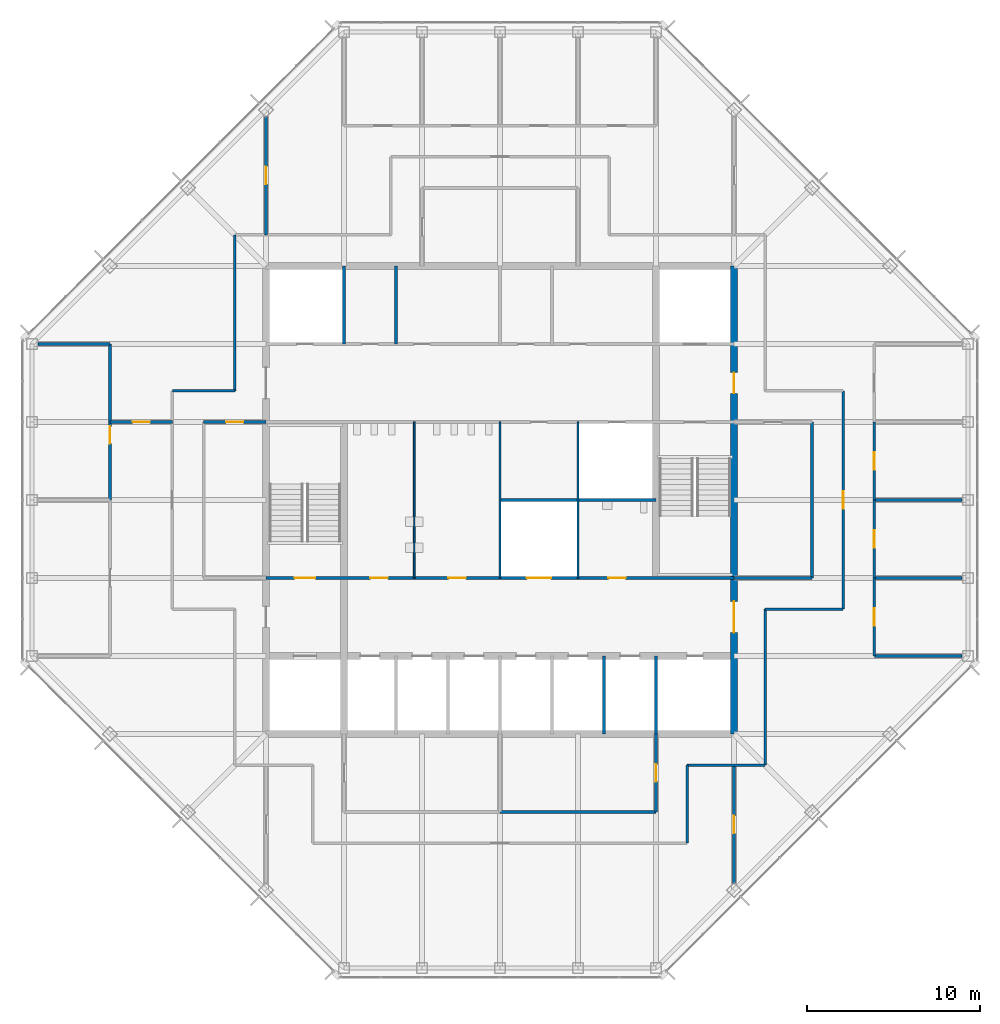
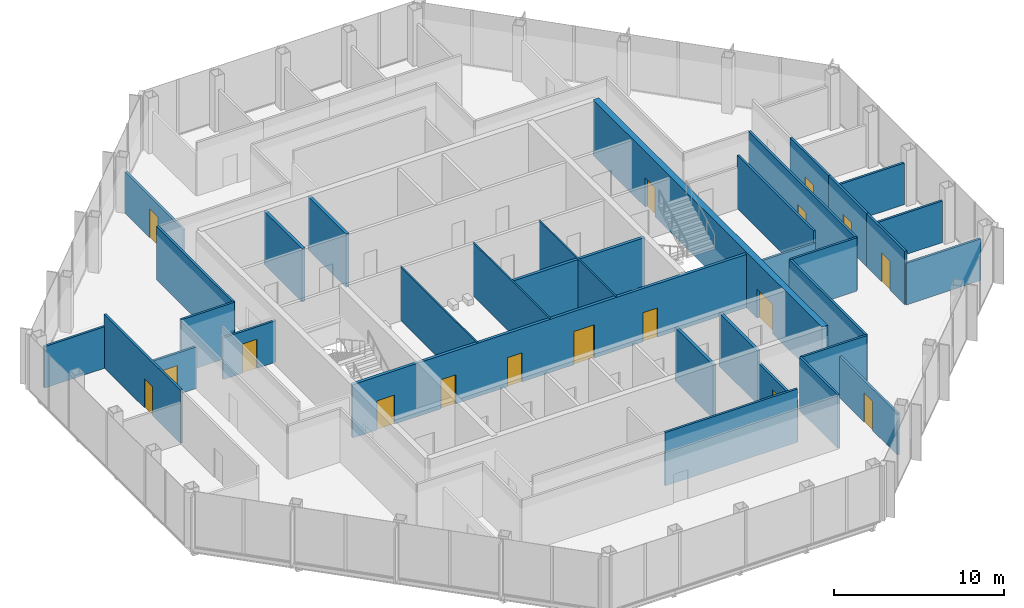
# One storey, part 10 of 14: 33 walls, 17 doors, 17 openings.
"""IFC4 building model written with IfcOpenShell, lengths in metres."""

from ifc_helpers import new_model, si_unit, direction, frame, frame_2d, origin, place, context, subcontext, project, spatial, rectangle, extrude, material, layer, layer_set, type_object, element, fill, save


model = new_model("IFC4")

# Units and contexts
model_context = context("Model", 3, precision=1e-05, world=origin(), true_north=direction((0.0, 1.0)))
body_context = subcontext(model_context, "Body", "Model", "MODEL_VIEW")
ifc_project = project(units=[si_unit("LENGTHUNIT", "METRE"), si_unit("AREAUNIT", "SQUARE_METRE"), si_unit("VOLUMEUNIT", "CUBIC_METRE"), si_unit("PLANEANGLEUNIT", "RADIAN"), si_unit("MASSUNIT", "GRAM", prefix="KILO")], contexts=[model_context])

# Site, building, storey
site_placement = place(None, origin())
site = spatial("IfcSite", under=ifc_project, at=site_placement, CompositionType="ELEMENT")
building_placement = place(site_placement, origin())
building = spatial("IfcBuilding", under=site, at=building_placement, Name="Corais Broadcast Tower", CompositionType="ELEMENT")
storey_placement = place(building_placement, frame((0.0, 0.0, 218.60009765625)))
storey = spatial("IfcBuildingStorey", under=building, at=storey_placement, Name="L50", CompositionType="ELEMENT", Elevation=218.60009765625)

# Walls
ifc_material_1 = material(Name="Concrete blockwork class A, grouted, two-hour", Category="masonry")
ifc_layer_1 = layer(ifc_material_1, 0.199951171875)
ifc_layer_set_1 = layer_set([ifc_layer_1], Name="Concrete blockwork class A, grouted, two-hour")
wall_type_1 = type_object("IfcWallType", Name="Core lobby wall 200", PredefinedType="SOLIDWALL", material=ifc_layer_set_1)
for number, where, z_axis, x_axis, name in (
    (1, (18.0, 36.0, 0.0), (0.0, 0.0, 1.0), (0.0, 1.0, 0.0), "CL3 core shaft wall X18B L50"),
    (2, (36.0, 13.5, 0.0), (0.0, 0.0, 1.0), (0.0, 1.0, 0.0), "CL3 core shaft wall X36A L50"),
):
    element("IfcWall", number, at=place(storey_placement, frame(where, z_axis=z_axis, x_axis=x_axis)), inside=storey, type_object=wall_type_1, Name=name, PredefinedType="SOLIDWALL", context=body_context, shape_type="SweptSolid", body=[
        extrude(rectangle(XDim=4.5, YDim=0.199951171875, at=frame_2d((2.25, 0.0))), origin(), (0.0, 0.0, 1.0), 3.83984375),
    ])

# Wall, openings, doors
wall_1_placement = place(storey_placement, frame((13.5, 22.5, 0.0), z_axis=(0.0, 0.0, 1.0), x_axis=(1.0, 0.0, 0.0)))
wall_1 = element("IfcWall", 3, at=wall_1_placement, inside=storey, type_object=wall_type_1, Name="CL3 core lobby wall Y225 L50", PredefinedType="SOLIDWALL", context=body_context, shape_type="SweptSolid", body=[
    extrude(rectangle(XDim=27.0, YDim=0.199951171875, at=frame_2d((13.5, 0.0))), origin(), (0.0, 0.0, 1.0), 3.83984375),
])
opening_1_placement = place(wall_1_placement, frame((1.64990234375, 0.0, 0.0)))
opening_1 = element("IfcOpeningElement", 4, at=opening_1_placement, cuts=wall_1, Name="Opening FD1", PredefinedType="OPENING", context=body_context, shape_type="SweptSolid", body=[
    extrude(rectangle(XDim=1.199951171875, YDim=2.10009765625, at=frame_2d((0.60009765625, 1.050048828125))), frame((0.0, 0.10986328125, 0.0), z_axis=(0.0, -1.0, 0.0), x_axis=(1.0, 0.0, 0.0)), (0.0, 0.0, 1.0), 0.219970703125),
])
opening_2_placement = place(wall_1_placement, frame((6.02490234375, 0.0, 0.0)))
opening_2 = element("IfcOpeningElement", 5, at=opening_2_placement, cuts=wall_1, Name="Opening WD1", PredefinedType="OPENING", context=body_context, shape_type="SweptSolid", body=[
    extrude(rectangle(XDim=1.0, YDim=2.10009765625, at=frame_2d((0.5, 1.050048828125))), frame((0.0, 0.10986328125, 0.0), z_axis=(0.0, -1.0, 0.0), x_axis=(1.0, 0.0, 0.0)), (0.0, 0.0, 1.0), 0.219970703125),
])
opening_3_placement = place(wall_1_placement, frame((10.52490234375, 0.0, 0.0)))
opening_3 = element("IfcOpeningElement", 6, at=opening_3_placement, cuts=wall_1, Name="Opening WD1", PredefinedType="OPENING", context=body_context, shape_type="SweptSolid", body=[
    extrude(rectangle(XDim=1.0, YDim=2.10009765625, at=frame_2d((0.5, 1.050048828125))), frame((0.0, 0.10986328125, 0.0), z_axis=(0.0, -1.0, 0.0), x_axis=(1.0, 0.0, 0.0)), (0.0, 0.0, 1.0), 0.219970703125),
])
opening_4_placement = place(wall_1_placement, frame((19.75, 0.0, 0.0)))
opening_4 = element("IfcOpeningElement", 7, at=opening_4_placement, cuts=wall_1, Name="Opening WD1", PredefinedType="OPENING", context=body_context, shape_type="SweptSolid", body=[
    extrude(rectangle(XDim=1.0, YDim=2.10009765625, at=frame_2d((0.5, 1.050048828125))), frame((0.0, 0.10986328125, 0.0), z_axis=(0.0, -1.0, 0.0), x_axis=(1.0, 0.0, 0.0)), (0.0, 0.0, 1.0), 0.219970703125),
])
opening_5_placement = place(wall_1_placement, frame((15.050048828125, 0.0, 0.0)))
opening_5 = element("IfcOpeningElement", 8, at=opening_5_placement, cuts=wall_1, Name="Opening LD3", PredefinedType="OPENING", context=body_context, shape_type="SweptSolid", body=[
    extrude(rectangle(XDim=1.39990234375, YDim=2.39990234375, at=frame_2d((0.699951171875, 1.199951171875))), frame((0.0, 0.10986328125, 0.0), z_axis=(0.0, -1.0, 0.0), x_axis=(1.0, 0.0, 0.0)), (0.0, 0.0, 1.0), 0.219970703125),
])
ifc_material_2 = material(Name="Steel fire door", Category="steel")
door_type_1 = type_object("IfcDoorType", Name="Fire door 1200x2100", OperationType="SINGLE_SWING_LEFT", PredefinedType="DOOR", material=ifc_material_2)
door_1_placement = place(opening_1_placement, origin())
door_1 = element("IfcDoor", 9, at=door_1_placement, inside=storey, type_object=door_type_1, Name="FD1 stair A door L50", OperationType="SINGLE_SWING_LEFT", OverallHeight=2.10009765625, OverallWidth=1.199951171875, PredefinedType="DOOR", context=body_context, shape_type="SweptSolid", body=[
    extrude(rectangle(XDim=1.199951171875, YDim=2.10009765625, at=frame_2d((0.60009765625, 1.050048828125))), frame((0.0, 0.02490234375, 0.0), z_axis=(0.0, -1.0, 0.0), x_axis=(1.0, 0.0, 0.0)), (0.0, 0.0, 1.0), 0.050048828125),
])
fill(opening_1, door_1)
ifc_material_3 = material(Name="Stainless steel lift door", Category="steel")
door_type_2 = type_object("IfcDoorType", Name="Service lift landing door 1400x2400", OperationType="SLIDING_TO_LEFT", PredefinedType="DOOR", material=ifc_material_3)
door_2_placement = place(opening_5_placement, origin())
door_2 = element("IfcDoor", 10, at=door_2_placement, inside=storey, type_object=door_type_2, Name="LD3 SL1 landing door L50", OperationType="SLIDING_TO_LEFT", OverallHeight=2.39990234375, OverallWidth=1.39990234375, PredefinedType="DOOR", context=body_context, shape_type="SweptSolid", body=[
    extrude(rectangle(XDim=1.39990234375, YDim=2.39990234375, at=frame_2d((0.699951171875, 1.199951171875))), frame((0.0, 0.02490234375, 0.0), z_axis=(0.0, -1.0, 0.0), x_axis=(1.0, 0.0, 0.0)), (0.0, 0.0, 1.0), 0.050048828125),
])
fill(opening_5, door_2)
ifc_material_4 = material(Name="Timber door", Category="wood")
door_type_3 = type_object("IfcDoorType", Name="Toilet door 1000x2100", OperationType="SINGLE_SWING_LEFT", PredefinedType="DOOR", material=ifc_material_4)
door_3_placement = place(opening_2_placement, origin())
door_3 = element("IfcDoor", 11, at=door_3_placement, inside=storey, type_object=door_type_3, Name="WD1 WC male door L50", OperationType="SINGLE_SWING_LEFT", OverallHeight=2.10009765625, OverallWidth=1.0, PredefinedType="DOOR", context=body_context, shape_type="SweptSolid", body=[
    extrude(rectangle(XDim=1.0, YDim=2.10009765625, at=frame_2d((0.5, 1.050048828125))), frame((0.0, 0.02490234375, 0.0), z_axis=(0.0, -1.0, 0.0), x_axis=(1.0, 0.0, 0.0)), (0.0, 0.0, 1.0), 0.050048828125),
])
fill(opening_2, door_3)
door_4_placement = place(opening_3_placement, origin())
door_4 = element("IfcDoor", 12, at=door_4_placement, inside=storey, type_object=door_type_3, Name="WD1 WC female door L50", OperationType="SINGLE_SWING_LEFT", OverallHeight=2.10009765625, OverallWidth=1.0, PredefinedType="DOOR", context=body_context, shape_type="SweptSolid", body=[
    extrude(rectangle(XDim=1.0, YDim=2.10009765625, at=frame_2d((0.5, 1.050048828125))), frame((0.0, 0.02490234375, 0.0), z_axis=(0.0, -1.0, 0.0), x_axis=(1.0, 0.0, 0.0)), (0.0, 0.0, 1.0), 0.050048828125),
])
fill(opening_3, door_4)
door_5_placement = place(opening_4_placement, origin())
door_5 = element("IfcDoor", 13, at=door_5_placement, inside=storey, type_object=door_type_3, Name="WD1 accessible WC door L50", OperationType="SINGLE_SWING_RIGHT", OverallHeight=2.10009765625, OverallWidth=1.0, PredefinedType="DOOR", context=body_context, shape_type="SweptSolid", body=[
    extrude(rectangle(XDim=1.0, YDim=2.10009765625, at=frame_2d((0.5, 1.050048828125))), frame((0.0, 0.02490234375, 0.0), z_axis=(0.0, -1.0, 0.0), x_axis=(1.0, 0.0, 0.0)), (0.0, 0.0, 1.0), 0.050048828125),
])
fill(opening_4, door_5)

ifc_material_5 = material(Name="Concrete C50/60", Category="concrete")
ifc_layer_2 = layer(ifc_material_5, 0.39990234375)
ifc_layer_set_2 = layer_set([ifc_layer_2], Name="Concrete C50/60")
wall_type_2 = type_object("IfcWallType", Name="Core wall 400", PredefinedType="SHEAR", material=ifc_layer_set_2)
wall_2_placement = place(storey_placement, frame((40.5, 13.5, 0.0), z_axis=(0.0, 0.0, 1.0), x_axis=(0.0, 1.0, 0.0)))
wall_2 = element("IfcWall", 14, at=wall_2_placement, inside=storey, type_object=wall_type_2, Name="CR400 core wall E L50", PredefinedType="SHEAR", context=body_context, shape_type="SweptSolid", body=[
    extrude(rectangle(XDim=27.0, YDim=0.39990234375, at=frame_2d((13.5, 0.0))), origin(), (0.0, 0.0, 1.0), 4.0),
])
opening_6_placement = place(wall_2_placement, frame((5.85009765625, 0.0, 0.0)))
opening_6 = element("IfcOpeningElement", 15, at=opening_6_placement, cuts=wall_2, Name="Opening FD2", PredefinedType="OPENING", context=body_context, shape_type="SweptSolid", body=[
    extrude(rectangle(XDim=1.800048828125, YDim=2.10009765625, at=frame_2d((0.89990234375, 1.050048828125))), frame((0.0, 0.2099609375, 0.0), z_axis=(0.0, -1.0, 0.0), x_axis=(1.0, 0.0, 0.0)), (0.0, 0.0, 1.0), 0.419921875),
])
opening_7_placement = place(wall_2_placement, frame((19.64990234375, 0.0, 0.0)))
opening_7 = element("IfcOpeningElement", 16, at=opening_7_placement, cuts=wall_2, Name="Opening FD1", PredefinedType="OPENING", context=body_context, shape_type="SweptSolid", body=[
    extrude(rectangle(XDim=1.199951171875, YDim=2.10009765625, at=frame_2d((0.60009765625, 1.050048828125))), frame((0.0, 0.2099609375, 0.0), z_axis=(0.0, -1.0, 0.0), x_axis=(1.0, 0.0, 0.0)), (0.0, 0.0, 1.0), 0.419921875),
])
door_6_placement = place(opening_7_placement, origin())
door_6 = element("IfcDoor", 17, at=door_6_placement, inside=storey, type_object=door_type_1, Name="FD1 fire lobby B door L50", OperationType="SINGLE_SWING_RIGHT", OverallHeight=2.10009765625, OverallWidth=1.199951171875, PredefinedType="DOOR", context=body_context, shape_type="SweptSolid", body=[
    extrude(rectangle(XDim=1.199951171875, YDim=2.10009765625, at=frame_2d((0.60009765625, 1.050048828125))), frame((0.0, 0.02490234375, 0.0), z_axis=(0.0, -1.0, 0.0), x_axis=(1.0, 0.0, 0.0)), (0.0, 0.0, 1.0), 0.050048828125),
])
fill(opening_7, door_6)
ifc_material_6 = material(Name="Steel fire door", Category="steel")
door_type_4 = type_object("IfcDoorType", Name="Fire door pair 1800x2100", OperationType="DOUBLE_DOOR_SINGLE_SWING", PredefinedType="DOOR", material=ifc_material_6)
door_7_placement = place(opening_6_placement, origin())
door_7 = element("IfcDoor", 18, at=door_7_placement, inside=storey, type_object=door_type_4, Name="FD2 lift lobby door L50", OperationType="SINGLE_SWING_LEFT", OverallHeight=2.10009765625, OverallWidth=1.800048828125, PredefinedType="DOOR", context=body_context, shape_type="SweptSolid", body=[
    extrude(rectangle(XDim=1.800048828125, YDim=2.10009765625, at=frame_2d((0.89990234375, 1.050048828125))), frame((0.0, 0.02490234375, 0.0), z_axis=(0.0, -1.0, 0.0), x_axis=(1.0, 0.0, 0.0)), (0.0, 0.0, 1.0), 0.050048828125),
])
fill(opening_6, door_7)

# Wall, opening, door
ifc_material_7 = material(Name="Gypsum board on steel studs", Category="steel")
ifc_layer_3 = layer(ifc_material_7, 0.14990234375)
ifc_layer_set_3 = layer_set([ifc_layer_3], Name="Gypsum board on steel studs")
wall_type_3 = type_object("IfcWallType", Name="Partition 150", PredefinedType="PARTITIONING", material=ifc_layer_set_3)
wall_3_placement = place(storey_placement, frame((46.800048828125, 20.699951171875, 0.0), z_axis=(0.0, 0.0, 1.0), x_axis=(0.0, 1.0, 0.0)))
wall_3 = element("IfcWall", 19, at=wall_3_placement, inside=storey, type_object=wall_type_3, Name="IW3 corridor wall L50", PredefinedType="PARTITIONING", context=body_context, shape_type="SweptSolid", body=[
    extrude(rectangle(XDim=12.60009765625, YDim=0.14990234375, at=frame_2d((6.300048828125, 0.0))), origin(), (0.0, 0.0, 1.0), 3.83984375),
])
opening_8_placement = place(wall_3_placement, frame((5.800048828125, 0.0, 0.0)))
opening_8 = element("IfcOpeningElement", 20, at=opening_8_placement, cuts=wall_3, Name="Opening D1", PredefinedType="OPENING", context=body_context, shape_type="SweptSolid", body=[
    extrude(rectangle(XDim=1.0, YDim=2.10009765625, at=frame_2d((0.5, 1.050048828125))), frame((0.0, 0.0849609375, 0.0), z_axis=(0.0, -1.0, 0.0), x_axis=(1.0, 0.0, 0.0)), (0.0, 0.0, 1.0), 0.169921875),
])
ifc_material_8 = material(Name="Timber door", Category="wood")
door_type_5 = type_object("IfcDoorType", Name="Single door 1000x2100", OperationType="SINGLE_SWING_LEFT", PredefinedType="DOOR", material=ifc_material_8)
door_8_placement = place(opening_8_placement, origin())
door_8 = element("IfcDoor", 21, at=door_8_placement, inside=storey, type_object=door_type_5, Name="D1 workplace door L50", OperationType="SINGLE_SWING_LEFT", OverallHeight=2.10009765625, OverallWidth=1.0, PredefinedType="DOOR", context=body_context, shape_type="SweptSolid", body=[
    extrude(rectangle(XDim=1.0, YDim=2.10009765625, at=frame_2d((0.5, 1.050048828125))), frame((0.0, 0.02490234375, 0.0), z_axis=(0.0, -1.0, 0.0), x_axis=(1.0, 0.0, 0.0)), (0.0, 0.0, 1.0), 0.050048828125),
])
fill(opening_8, door_8)

# Walls
for number, where, z_axis, x_axis, name in (
    (22, (11.699951171875, 42.300048828125, 0.0), (0.0, 0.0, 1.0), (0.0, -1.0, 0.0), "IW3 corridor wall L50"),
    (23, (42.300048828125, 11.699951171875, 0.0), (0.0, 0.0, 1.0), (0.0, 1.0, 0.0), "IW3 corridor wall L50"),
):
    element("IfcWall", number, at=place(storey_placement, frame(where, z_axis=z_axis, x_axis=x_axis)), inside=storey, type_object=wall_type_3, Name=name, PredefinedType="PARTITIONING", context=body_context, shape_type="SweptSolid", body=[
        extrude(rectangle(XDim=9.0, YDim=0.14990234375, at=frame_2d((4.5, 0.0))), origin(), (0.0, 0.0, 1.0), 3.83984375),
    ])
for number, where, z_axis, x_axis, name in (
    (24, (37.800048828125, 7.199951171875, 0.0), (0.0, 0.0, 1.0), (0.0, 1.0, 0.0), "IW3 corridor wall L50"),
    (25, (37.800048828125, 11.699951171875, 0.0), (0.0, 0.0, 1.0), (1.0, 0.0, 0.0), "IW3 corridor wall L50"),
    (26, (42.300048828125, 20.699951171875, 0.0), (0.0, 0.0, 1.0), (1.0, 0.0, 0.0), "IW3 corridor wall L50"),
):
    element("IfcWall", number, at=place(storey_placement, frame(where, z_axis=z_axis, x_axis=x_axis)), inside=storey, type_object=wall_type_3, Name=name, PredefinedType="PARTITIONING", context=body_context, shape_type="SweptSolid", body=[
        extrude(rectangle(XDim=4.5, YDim=0.14990234375, at=frame_2d((2.25, 0.0))), origin(), (0.0, 0.0, 1.0), 3.83984375),
    ])
wall_4_placement = place(storey_placement, frame((11.699951171875, 33.300048828125, 0.0), z_axis=(0.0, 0.0, 1.0), x_axis=(-1.0, 0.0, 0.0)))
element("IfcWall", 27, at=wall_4_placement, inside=storey, type_object=wall_type_3, Name="IW3 corridor wall L50", PredefinedType="PARTITIONING", context=body_context, shape_type="SweptSolid", body=[
    extrude(rectangle(XDim=3.599853515625, YDim=0.14990234375, at=frame_2d((1.7998046875, 0.0))), origin(), (0.0, 0.0, 1.0), 3.83984375),
])
for number, where, z_axis, x_axis, name in (
    (28, (48.60009765625, 18.0, 0.0), (0.0, 0.0, 1.0), (1.0, 0.0, 0.0), "IW3 partition L50"),
    (29, (53.6650390625, 22.5, 0.0), (0.0, 0.0, 1.0), (-1.0, 0.0, 0.0), "IW3 partition L50"),
):
    element("IfcWall", number, at=place(storey_placement, frame(where, z_axis=z_axis, x_axis=x_axis)), inside=storey, type_object=wall_type_3, Name=name, PredefinedType="PARTITIONING", context=body_context, shape_type="SweptSolid", body=[
        extrude(rectangle(XDim=5.06494140625, YDim=0.14990234375, at=frame_2d((2.532470703125, 0.0))), origin(), (0.0, 0.0, 1.0), 2.989013671875),
    ])

# Wall, opening, door
wall_5_placement = place(storey_placement, frame((48.60009765625, 22.5, 0.0), z_axis=(0.0, 0.0, 1.0), x_axis=(0.0, -1.0, 0.0)))
wall_5 = element("IfcWall", 30, at=wall_5_placement, inside=storey, type_object=wall_type_3, Name="IW3 partition L50", PredefinedType="PARTITIONING", context=body_context, shape_type="SweptSolid", body=[
    extrude(rectangle(XDim=4.5, YDim=0.14990234375, at=frame_2d((2.25, 0.0))), origin(), (0.0, 0.0, 1.0), 3.83984375),
])
opening_9_placement = place(wall_5_placement, frame((1.75, 0.0, 0.0)))
opening_9 = element("IfcOpeningElement", 31, at=opening_9_placement, cuts=wall_5, Name="Opening D1", PredefinedType="OPENING", context=body_context, shape_type="SweptSolid", body=[
    extrude(rectangle(XDim=1.0, YDim=2.10009765625, at=frame_2d((0.5, 1.050048828125))), frame((0.0, 0.0849609375, 0.0), z_axis=(0.0, -1.0, 0.0), x_axis=(1.0, 0.0, 0.0)), (0.0, 0.0, 1.0), 0.169921875),
])
door_9_placement = place(opening_9_placement, origin())
door_9 = element("IfcDoor", 32, at=door_9_placement, inside=storey, type_object=door_type_5, Name="D1 Office door", OperationType="SINGLE_SWING_LEFT", OverallHeight=2.10009765625, OverallWidth=1.0, PredefinedType="DOOR", context=body_context, shape_type="SweptSolid", body=[
    extrude(rectangle(XDim=1.0, YDim=2.10009765625, at=frame_2d((0.5, 1.050048828125))), frame((0.0, 0.02490234375, 0.0), z_axis=(0.0, -1.0, 0.0), x_axis=(1.0, 0.0, 0.0)), (0.0, 0.0, 1.0), 0.050048828125),
])
fill(opening_9, door_9)

# Wall
wall_6_placement = place(storey_placement, frame((53.6650390625, 27.0, 0.0), z_axis=(0.0, 0.0, 1.0), x_axis=(-1.0, 0.0, 0.0)))
element("IfcWall", 33, at=wall_6_placement, inside=storey, type_object=wall_type_3, Name="IW3 partition L50", PredefinedType="PARTITIONING", context=body_context, shape_type="SweptSolid", body=[
    extrude(rectangle(XDim=5.06494140625, YDim=0.14990234375, at=frame_2d((2.532470703125, 0.0))), origin(), (0.0, 0.0, 1.0), 2.989013671875),
])

# Wall, opening, door
wall_7_placement = place(storey_placement, frame((48.60009765625, 27.0, 0.0), z_axis=(0.0, 0.0, 1.0), x_axis=(0.0, -1.0, 0.0)))
wall_7 = element("IfcWall", 34, at=wall_7_placement, inside=storey, type_object=wall_type_3, Name="IW3 partition L50", PredefinedType="PARTITIONING", context=body_context, shape_type="SweptSolid", body=[
    extrude(rectangle(XDim=4.5, YDim=0.14990234375, at=frame_2d((2.25, 0.0))), origin(), (0.0, 0.0, 1.0), 3.83984375),
])
opening_10_placement = place(wall_7_placement, frame((1.75, 0.0, 0.0)))
opening_10 = element("IfcOpeningElement", 35, at=opening_10_placement, cuts=wall_7, Name="Opening D1", PredefinedType="OPENING", context=body_context, shape_type="SweptSolid", body=[
    extrude(rectangle(XDim=1.0, YDim=2.10009765625, at=frame_2d((0.5, 1.050048828125))), frame((0.0, 0.0849609375, 0.0), z_axis=(0.0, -1.0, 0.0), x_axis=(1.0, 0.0, 0.0)), (0.0, 0.0, 1.0), 0.169921875),
])
door_10_placement = place(opening_10_placement, origin())
door_10 = element("IfcDoor", 36, at=door_10_placement, inside=storey, type_object=door_type_5, Name="D1 Office door", OperationType="SINGLE_SWING_LEFT", OverallHeight=2.10009765625, OverallWidth=1.0, PredefinedType="DOOR", context=body_context, shape_type="SweptSolid", body=[
    extrude(rectangle(XDim=1.0, YDim=2.10009765625, at=frame_2d((0.5, 1.050048828125))), frame((0.0, 0.02490234375, 0.0), z_axis=(0.0, -1.0, 0.0), x_axis=(1.0, 0.0, 0.0)), (0.0, 0.0, 1.0), 0.050048828125),
])
fill(opening_10, door_10)

wall_8_placement = place(storey_placement, frame((48.60009765625, 31.5, 0.0), z_axis=(0.0, 0.0, 1.0), x_axis=(0.0, -1.0, 0.0)))
wall_8 = element("IfcWall", 37, at=wall_8_placement, inside=storey, type_object=wall_type_3, Name="IW3 partition L50", PredefinedType="PARTITIONING", context=body_context, shape_type="SweptSolid", body=[
    extrude(rectangle(XDim=4.5, YDim=0.14990234375, at=frame_2d((2.25, 0.0))), origin(), (0.0, 0.0, 1.0), 3.83984375),
])
opening_11_placement = place(wall_8_placement, frame((1.75, 0.0, 0.0)))
opening_11 = element("IfcOpeningElement", 38, at=opening_11_placement, cuts=wall_8, Name="Opening D1", PredefinedType="OPENING", context=body_context, shape_type="SweptSolid", body=[
    extrude(rectangle(XDim=1.0, YDim=2.10009765625, at=frame_2d((0.5, 1.050048828125))), frame((0.0, 0.0849609375, 0.0), z_axis=(0.0, -1.0, 0.0), x_axis=(1.0, 0.0, 0.0)), (0.0, 0.0, 1.0), 0.169921875),
])
door_11_placement = place(opening_11_placement, origin())
door_11 = element("IfcDoor", 39, at=door_11_placement, inside=storey, type_object=door_type_5, Name="D1 Office door", OperationType="SINGLE_SWING_LEFT", OverallHeight=2.10009765625, OverallWidth=1.0, PredefinedType="DOOR", context=body_context, shape_type="SweptSolid", body=[
    extrude(rectangle(XDim=1.0, YDim=2.10009765625, at=frame_2d((0.5, 1.050048828125))), frame((0.0, 0.02490234375, 0.0), z_axis=(0.0, -1.0, 0.0), x_axis=(1.0, 0.0, 0.0)), (0.0, 0.0, 1.0), 0.050048828125),
])
fill(opening_11, door_11)

# Walls
wall_9_placement = place(storey_placement, frame((40.5, 22.5, 0.0), z_axis=(0.0, 0.0, 1.0), x_axis=(1.0, 0.0, 0.0)))
element("IfcWall", 40, at=wall_9_placement, inside=storey, type_object=wall_type_3, Name="IW3 partition L50", PredefinedType="PARTITIONING", context=body_context, shape_type="SweptSolid", body=[
    extrude(rectangle(XDim=4.5, YDim=0.14990234375, at=frame_2d((2.25, 0.0))), origin(), (0.0, 0.0, 1.0), 2.989013671875),
])
wall_10_placement = place(storey_placement, frame((45.0, 22.5, 0.0), z_axis=(0.0, 0.0, 1.0), x_axis=(0.0, 1.0, 0.0)))
element("IfcWall", 41, at=wall_10_placement, inside=storey, type_object=wall_type_3, Name="IW3 partition L50", PredefinedType="PARTITIONING", context=body_context, shape_type="SweptSolid", body=[
    extrude(rectangle(XDim=9.0, YDim=0.14990234375, at=frame_2d((4.5, 0.0))), origin(), (0.0, 0.0, 1.0), 3.83984375),
])

# Wall, opening, door
wall_11_placement = place(storey_placement, frame((13.5, 31.5, 0.0), z_axis=(0.0, 0.0, 1.0), x_axis=(-1.0, 0.0, 0.0)))
wall_11 = element("IfcWall", 42, at=wall_11_placement, inside=storey, type_object=wall_type_3, Name="IW3 partition L50", PredefinedType="PARTITIONING", context=body_context, shape_type="SweptSolid", body=[
    extrude(rectangle(XDim=3.60009765625, YDim=0.14990234375, at=frame_2d((1.800048828125, 0.0))), origin(), (0.0, 0.0, 1.0), 2.989013671875),
])
opening_12_placement = place(wall_11_placement, frame((1.300048828125, 0.0, 0.0)))
opening_12 = element("IfcOpeningElement", 43, at=opening_12_placement, cuts=wall_11, Name="Opening D1", PredefinedType="OPENING", context=body_context, shape_type="SweptSolid", body=[
    extrude(rectangle(XDim=1.0, YDim=2.10009765625, at=frame_2d((0.5, 1.050048828125))), frame((0.0, 0.0849609375, 0.0), z_axis=(0.0, -1.0, 0.0), x_axis=(1.0, 0.0, 0.0)), (0.0, 0.0, 1.0), 0.169921875),
])
door_12_placement = place(opening_12_placement, origin())
door_12 = element("IfcDoor", 44, at=door_12_placement, inside=storey, type_object=door_type_5, Name="D1 Pantry door", OperationType="SINGLE_SWING_LEFT", OverallHeight=2.10009765625, OverallWidth=1.0, PredefinedType="DOOR", context=body_context, shape_type="SweptSolid", body=[
    extrude(rectangle(XDim=1.0, YDim=2.10009765625, at=frame_2d((0.5, 1.050048828125))), frame((0.0, 0.02490234375, 0.0), z_axis=(0.0, -1.0, 0.0), x_axis=(1.0, 0.0, 0.0)), (0.0, 0.0, 1.0), 0.050048828125),
])
fill(opening_12, door_12)

# Wall
wall_12_placement = place(storey_placement, frame((27.0, 9.0, 0.0), z_axis=(0.0, 0.0, 1.0), x_axis=(1.0, 0.0, 0.0)))
element("IfcWall", 45, at=wall_12_placement, inside=storey, type_object=wall_type_3, Name="IW3 partition L50", PredefinedType="PARTITIONING", context=body_context, shape_type="SweptSolid", body=[
    extrude(rectangle(XDim=9.0, YDim=0.14990234375, at=frame_2d((4.5, 0.0))), origin(), (0.0, 0.0, 1.0), 3.83984375),
])

# Wall, opening, door
wall_13_placement = place(storey_placement, frame((36.0, 9.0, 0.0), z_axis=(0.0, 0.0, 1.0), x_axis=(0.0, 1.0, 0.0)))
wall_13 = element("IfcWall", 46, at=wall_13_placement, inside=storey, type_object=wall_type_3, Name="IW3 partition L50", PredefinedType="PARTITIONING", context=body_context, shape_type="SweptSolid", body=[
    extrude(rectangle(XDim=4.5, YDim=0.14990234375, at=frame_2d((2.25, 0.0))), origin(), (0.0, 0.0, 1.0), 2.989013671875),
])
opening_13_placement = place(wall_13_placement, frame((1.75, 0.0, 0.0)))
opening_13 = element("IfcOpeningElement", 47, at=opening_13_placement, cuts=wall_13, Name="Opening D1", PredefinedType="OPENING", context=body_context, shape_type="SweptSolid", body=[
    extrude(rectangle(XDim=1.0, YDim=2.10009765625, at=frame_2d((0.5, 1.050048828125))), frame((0.0, 0.0849609375, 0.0), z_axis=(0.0, -1.0, 0.0), x_axis=(1.0, 0.0, 0.0)), (0.0, 0.0, 1.0), 0.169921875),
])
door_13_placement = place(opening_13_placement, origin())
door_13 = element("IfcDoor", 48, at=door_13_placement, inside=storey, type_object=door_type_5, Name="D1 Meeting room door", OperationType="SINGLE_SWING_LEFT", OverallHeight=2.10009765625, OverallWidth=1.0, PredefinedType="DOOR", context=body_context, shape_type="SweptSolid", body=[
    extrude(rectangle(XDim=1.0, YDim=2.10009765625, at=frame_2d((0.5, 1.050048828125))), frame((0.0, 0.02490234375, 0.0), z_axis=(0.0, -1.0, 0.0), x_axis=(1.0, 0.0, 0.0)), (0.0, 0.0, 1.0), 0.050048828125),
])
fill(opening_13, door_13)

wall_14_placement = place(storey_placement, frame((4.5, 27.0, 0.0), z_axis=(0.0, 0.0, 1.0), x_axis=(0.0, 1.0, 0.0)))
wall_14 = element("IfcWall", 49, at=wall_14_placement, inside=storey, type_object=wall_type_3, Name="IW3 partition L50", PredefinedType="PARTITIONING", context=body_context, shape_type="SweptSolid", body=[
    extrude(rectangle(XDim=9.0, YDim=0.14990234375, at=frame_2d((4.5, 0.0))), origin(), (0.0, 0.0, 1.0), 3.83984375),
])
opening_14_placement = place(wall_14_placement, frame((3.25, 0.0, 0.0)))
opening_14 = element("IfcOpeningElement", 50, at=opening_14_placement, cuts=wall_14, Name="Opening D1", PredefinedType="OPENING", context=body_context, shape_type="SweptSolid", body=[
    extrude(rectangle(XDim=1.0, YDim=2.10009765625, at=frame_2d((0.5, 1.050048828125))), frame((0.0, 0.0849609375, 0.0), z_axis=(0.0, -1.0, 0.0), x_axis=(1.0, 0.0, 0.0)), (0.0, 0.0, 1.0), 0.169921875),
])
door_14_placement = place(opening_14_placement, origin())
door_14 = element("IfcDoor", 51, at=door_14_placement, inside=storey, type_object=door_type_5, Name="D1 Office door", OperationType="SINGLE_SWING_LEFT", OverallHeight=2.10009765625, OverallWidth=1.0, PredefinedType="DOOR", context=body_context, shape_type="SweptSolid", body=[
    extrude(rectangle(XDim=1.0, YDim=2.10009765625, at=frame_2d((0.5, 1.050048828125))), frame((0.0, 0.02490234375, 0.0), z_axis=(0.0, -1.0, 0.0), x_axis=(1.0, 0.0, 0.0)), (0.0, 0.0, 1.0), 0.050048828125),
])
fill(opening_14, door_14)

# Wall
wall_15_placement = place(storey_placement, frame((4.5, 36.0, 0.0), z_axis=(0.0, 0.0, 1.0), x_axis=(-1.0, 0.0, 0.0)))
element("IfcWall", 52, at=wall_15_placement, inside=storey, type_object=wall_type_3, Name="IW3 partition L50", PredefinedType="PARTITIONING", context=body_context, shape_type="SweptSolid", body=[
    extrude(rectangle(XDim=4.1650390625, YDim=0.14990234375, at=frame_2d((2.08251953125, 0.0))), origin(), (0.0, 0.0, 1.0), 2.989013671875),
])

# Wall, opening, door
wall_16_placement = place(storey_placement, frame((13.5, 42.300048828125, 0.0), z_axis=(0.0, 0.0, 1.0), x_axis=(0.0, 1.0, 0.0)))
wall_16 = element("IfcWall", 53, at=wall_16_placement, inside=storey, type_object=wall_type_3, Name="IW3 partition L50", PredefinedType="PARTITIONING", context=body_context, shape_type="SweptSolid", body=[
    extrude(rectangle(XDim=6.85498046875, YDim=0.14990234375, at=frame_2d((3.427490234375, 0.0))), origin(), (0.0, 0.0, 1.0), 2.989013671875),
])
opening_15_placement = place(wall_16_placement, frame((2.927490234375, 0.0, 0.0)))
opening_15 = element("IfcOpeningElement", 54, at=opening_15_placement, cuts=wall_16, Name="Opening D1", PredefinedType="OPENING", context=body_context, shape_type="SweptSolid", body=[
    extrude(rectangle(XDim=1.0, YDim=2.10009765625, at=frame_2d((0.5, 1.050048828125))), frame((0.0, 0.0849609375, 0.0), z_axis=(0.0, -1.0, 0.0), x_axis=(1.0, 0.0, 0.0)), (0.0, 0.0, 1.0), 0.169921875),
])
door_15_placement = place(opening_15_placement, origin())
door_15 = element("IfcDoor", 55, at=door_15_placement, inside=storey, type_object=door_type_5, Name="D1 team room door L50", OperationType="SINGLE_SWING_LEFT", OverallHeight=2.10009765625, OverallWidth=1.0, PredefinedType="DOOR", context=body_context, shape_type="SweptSolid", body=[
    extrude(rectangle(XDim=1.0, YDim=2.10009765625, at=frame_2d((0.5, 1.050048828125))), frame((0.0, 0.02490234375, 0.0), z_axis=(0.0, -1.0, 0.0), x_axis=(1.0, 0.0, 0.0)), (0.0, 0.0, 1.0), 0.050048828125),
])
fill(opening_15, door_15)

wall_17_placement = place(storey_placement, frame((40.5, 4.844970703125, 0.0), z_axis=(0.0, 0.0, 1.0), x_axis=(0.0, 1.0, 0.0)))
wall_17 = element("IfcWall", 56, at=wall_17_placement, inside=storey, type_object=wall_type_3, Name="IW3 partition L50", PredefinedType="PARTITIONING", context=body_context, shape_type="SweptSolid", body=[
    extrude(rectangle(XDim=6.85498046875, YDim=0.14990234375, at=frame_2d((3.427490234375, 0.0))), origin(), (0.0, 0.0, 1.0), 2.989013671875),
])
opening_16_placement = place(wall_17_placement, frame((2.927490234375, 0.0, 0.0)))
opening_16 = element("IfcOpeningElement", 57, at=opening_16_placement, cuts=wall_17, Name="Opening D1", PredefinedType="OPENING", context=body_context, shape_type="SweptSolid", body=[
    extrude(rectangle(XDim=1.0, YDim=2.10009765625, at=frame_2d((0.5, 1.050048828125))), frame((0.0, 0.0849609375, 0.0), z_axis=(0.0, -1.0, 0.0), x_axis=(1.0, 0.0, 0.0)), (0.0, 0.0, 1.0), 0.169921875),
])
door_16_placement = place(opening_16_placement, origin())
door_16 = element("IfcDoor", 58, at=door_16_placement, inside=storey, type_object=door_type_5, Name="D1 team room door L50", OperationType="SINGLE_SWING_LEFT", OverallHeight=2.10009765625, OverallWidth=1.0, PredefinedType="DOOR", context=body_context, shape_type="SweptSolid", body=[
    extrude(rectangle(XDim=1.0, YDim=2.10009765625, at=frame_2d((0.5, 1.050048828125))), frame((0.0, 0.02490234375, 0.0), z_axis=(0.0, -1.0, 0.0), x_axis=(1.0, 0.0, 0.0)), (0.0, 0.0, 1.0), 0.050048828125),
])
fill(opening_16, door_16)

wall_18_placement = place(storey_placement, frame((4.5, 31.5, 0.0), z_axis=(0.0, 0.0, 1.0), x_axis=(1.0, 0.0, 0.0)))
wall_18 = element("IfcWall", 59, at=wall_18_placement, inside=storey, type_object=wall_type_3, Name="IW3 partition L50", PredefinedType="PARTITIONING", context=body_context, shape_type="SweptSolid", body=[
    extrude(rectangle(XDim=3.60009765625, YDim=0.14990234375, at=frame_2d((1.800048828125, 0.0))), origin(), (0.0, 0.0, 1.0), 2.989013671875),
])
opening_17_placement = place(wall_18_placement, frame((1.300048828125, 0.0, 0.0)))
opening_17 = element("IfcOpeningElement", 60, at=opening_17_placement, cuts=wall_18, Name="Opening D1", PredefinedType="OPENING", context=body_context, shape_type="SweptSolid", body=[
    extrude(rectangle(XDim=1.0, YDim=2.10009765625, at=frame_2d((0.5, 1.050048828125))), frame((0.0, 0.0849609375, 0.0), z_axis=(0.0, -1.0, 0.0), x_axis=(1.0, 0.0, 0.0)), (0.0, 0.0, 1.0), 0.169921875),
])
door_17_placement = place(opening_17_placement, origin())
door_17 = element("IfcDoor", 61, at=door_17_placement, inside=storey, type_object=door_type_5, Name="D1 team room door L50", OperationType="SINGLE_SWING_LEFT", OverallHeight=2.10009765625, OverallWidth=1.0, PredefinedType="DOOR", context=body_context, shape_type="SweptSolid", body=[
    extrude(rectangle(XDim=1.0, YDim=2.10009765625, at=frame_2d((0.5, 1.050048828125))), frame((0.0, 0.02490234375, 0.0), z_axis=(0.0, -1.0, 0.0), x_axis=(1.0, 0.0, 0.0)), (0.0, 0.0, 1.0), 0.050048828125),
])
fill(opening_17, door_17)

# Walls
ifc_material_9 = material(Name="Concrete blockwork class A, grouted, two-hour", Category="masonry")
ifc_layer_4 = layer(ifc_material_9, 0.199951171875)
ifc_layer_set_4 = layer_set([ifc_layer_4], Name="Concrete blockwork class A, grouted, two-hour")
wall_type_4 = type_object("IfcWallType", Name="Shaft wall 200", PredefinedType="PARTITIONING", material=ifc_layer_set_4)
for number, where, z_axis, x_axis, name in (
    (62, (21.0, 36.0, 0.0), (0.0, 0.0, 1.0), (0.0, 1.0, 0.0), "IW1 shaft wall L50"),
    (63, (33.0, 13.5, 0.0), (0.0, 0.0, 1.0), (0.0, 1.0, 0.0), "IW1 shaft wall L50"),
):
    element("IfcWall", number, at=place(storey_placement, frame(where, z_axis=z_axis, x_axis=x_axis)), inside=storey, type_object=wall_type_4, Name=name, PredefinedType="PARTITIONING", context=body_context, shape_type="SweptSolid", body=[
        extrude(rectangle(XDim=4.5, YDim=0.199951171875, at=frame_2d((2.25, 0.0))), origin(), (0.0, 0.0, 1.0), 3.83984375),
    ])
wall_19_placement = place(storey_placement, frame((27.0, 27.0, 0.0), z_axis=(0.0, 0.0, 1.0), x_axis=(1.0, 0.0, 0.0)))
element("IfcWall", 64, at=wall_19_placement, inside=storey, type_object=wall_type_4, Name="IW1 shaft wall L50", PredefinedType="PARTITIONING", context=body_context, shape_type="SweptSolid", body=[
    extrude(rectangle(XDim=9.0, YDim=0.199951171875, at=frame_2d((4.5, 0.0))), origin(), (0.0, 0.0, 1.0), 3.83984375),
])
ifc_material_10 = material(Name="Dense concrete blockwork class A, tiled both faces", Category="masonry")
ifc_layer_5 = layer(ifc_material_10, 0.10009765625)
ifc_layer_set_5 = layer_set([ifc_layer_5], Name="Dense concrete blockwork class A, tiled both faces")
wall_type_5 = type_object("IfcWallType", Name="Toilet wall 100", PredefinedType="PLUMBINGWALL", material=ifc_layer_set_5)
for number, where, z_axis, x_axis, name in (
    (65, (22.050048828125, 22.5, 0.0), (0.0, 0.0, 1.0), (0.0, 1.0, 0.0), "IW2 toilet wall L50"),
    (66, (27.0, 22.5, 0.0), (0.0, 0.0, 1.0), (0.0, 1.0, 0.0), "IW2 toilet wall L50"),
    (67, (31.5, 22.5, 0.0), (0.0, 0.0, 1.0), (0.0, 1.0, 0.0), "IW2 toilet wall L50"),
):
    element("IfcWall", number, at=place(storey_placement, frame(where, z_axis=z_axis, x_axis=x_axis)), inside=storey, type_object=wall_type_5, Name=name, PredefinedType="PLUMBINGWALL", context=body_context, shape_type="SweptSolid", body=[
        extrude(rectangle(XDim=9.0, YDim=0.10009765625, at=frame_2d((4.5, 0.0))), origin(), (0.0, 0.0, 1.0), 3.83984375),
    ])

save(model, "model.ifc")
